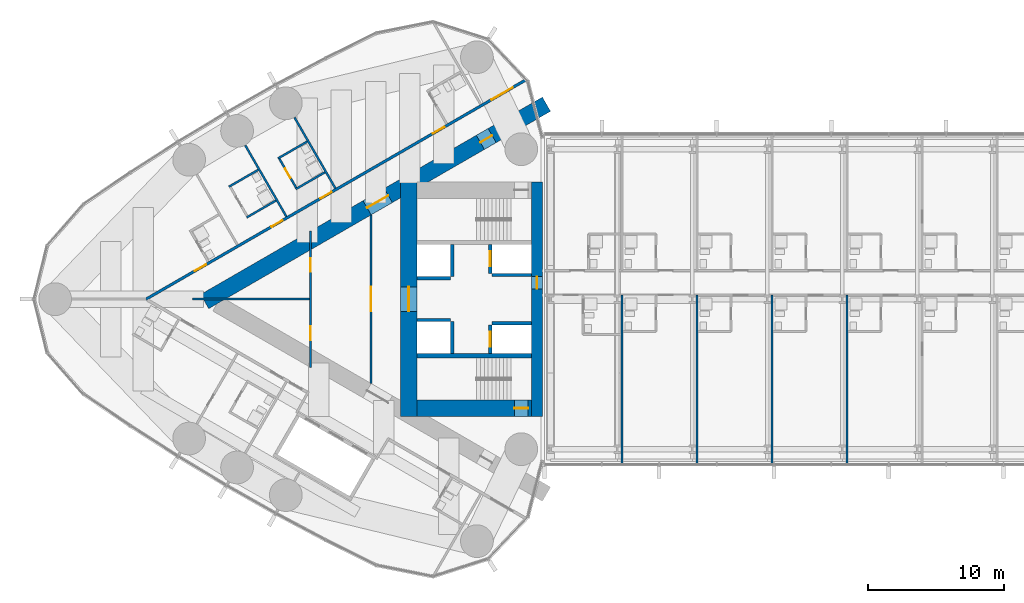
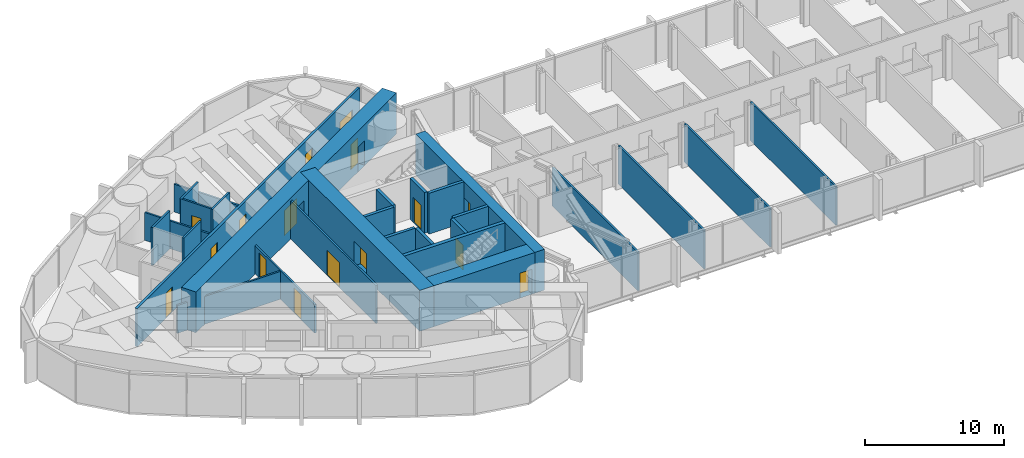
# One storey, part 15 of 23: 28 walls, 16 doors, 16 openings.
"""IFC4 building model written with IfcOpenShell, lengths in metres."""

from ifc_helpers import new_model, si_unit, direction, frame, frame_2d, origin, place, context, subcontext, project, spatial, rectangle, extrude, material, layer, layer_set, type_object, element, fill, save


model = new_model("IFC4")

# Units and contexts
model_context = context("Model", 3, precision=1e-05, world=origin(), true_north=direction((0.0, 1.0)))
body_context = subcontext(model_context, "Body", "Model", "MODEL_VIEW")
ifc_project = project(units=[si_unit("LENGTHUNIT", "METRE"), si_unit("AREAUNIT", "SQUARE_METRE"), si_unit("VOLUMEUNIT", "CUBIC_METRE"), si_unit("PLANEANGLEUNIT", "RADIAN"), si_unit("MASSUNIT", "GRAM", prefix="KILO")], contexts=[model_context])

# Site, building, storey
site_placement = place(None, origin())
site = spatial("IfcSite", under=ifc_project, at=site_placement, CompositionType="ELEMENT")
building_placement = place(site_placement, origin())
building = spatial("IfcBuilding", under=site, at=building_placement, Name="Lancet Gate Hotel", CompositionType="ELEMENT")
storey_placement = place(building_placement, frame((0.0, 0.0, 222.5)))
storey = spatial("IfcBuildingStorey", under=building, at=storey_placement, Name="L59", CompositionType="ELEMENT", Elevation=222.5)

# Wall
ifc_material_1 = material(Name="Moisture resistant board partition")
ifc_layer_1 = layer(ifc_material_1, 0.14990234375)
ifc_layer_set_1 = layer_set([ifc_layer_1], Name="Bathroom wall 150")
wall_type_1 = type_object("IfcWallType", Name="Bathroom wall 150", PredefinedType="PARTITIONING", material=ifc_layer_set_1)
wall_1_placement = place(storey_placement, frame((-44.745361328125, 11.560302734375, 0.0), z_axis=(0.0, 0.0, 1.0), x_axis=(-0.866006523861, -0.500032699561, 0.0)))
element("IfcWall", 1, at=wall_1_placement, inside=storey, type_object=wall_type_1, Name="T1 bathroom wall 150 L59", PredefinedType="PARTITIONING", context=body_context, shape_type="SweptSolid", body=[
    extrude(rectangle(XDim=2.474853515625, YDim=0.14990234375, at=frame_2d((1.2373046875, 0.0))), origin(), (0.0, 0.0, 1.0), 3.35009765625),
])

# Wall, opening, door
wall_2_placement = place(storey_placement, frame((-45.52392578125, 8.108642578125, 0.0), z_axis=(0.0, 0.0, 1.0), x_axis=(-0.49997716683, 0.86603858612, 0.0)))
wall_2 = element("IfcWall", 2, at=wall_2_placement, inside=storey, type_object=wall_type_1, Name="T1 bathroom wall 150 L59", PredefinedType="PARTITIONING", context=body_context, shape_type="SweptSolid", body=[
    extrude(rectangle(XDim=2.599609375, YDim=0.14990234375, at=frame_2d((1.2998046875, 0.0))), origin(), (0.0, 0.0, 1.0), 3.35009765625),
])
opening_1_placement = place(wall_2_placement, frame((0.89990234375, 0.0, 0.0)))
opening_1 = element("IfcOpeningElement", 3, at=opening_1_placement, cuts=wall_2, Name="Opening 5903-B", PredefinedType="OPENING", context=body_context, shape_type="SweptSolid", body=[
    extrude(rectangle(XDim=0.800048828125, YDim=2.199951171875, at=frame_2d((0.39990234375, 1.10009765625))), frame((0.0, 0.0849609375, 0.0), z_axis=(0.0, -1.0, 0.0), x_axis=(1.0, 0.0, 0.0)), (0.0, 0.0, 1.0), 0.169921875),
])
ifc_material_2 = material(Name="Timber door set", Category="wood")
door_type_1 = type_object("IfcDoorType", Name="Bathroom door 800", OperationType="SINGLE_SWING_RIGHT", PredefinedType="DOOR", material=ifc_material_2)
door_1_placement = place(opening_1_placement, origin())
door_1 = element("IfcDoor", 4, at=door_1_placement, inside=storey, type_object=door_type_1, Name="5903-B", OperationType="SINGLE_SWING_RIGHT", OverallHeight=2.199951171875, OverallWidth=0.800048828125, PredefinedType="DOOR", context=body_context, shape_type="SweptSolid", body=[
    extrude(rectangle(XDim=0.800048828125, YDim=2.199951171875, at=frame_2d((0.39990234375, 1.10009765625))), frame((0.0, 0.02490234375, 0.0), z_axis=(0.0, -1.0, 0.0), x_axis=(1.0, 0.0, 0.0)), (0.0, 0.0, 1.0), 0.050048828125),
])
fill(opening_1, door_1)

# Walls
wall_3_placement = place(storey_placement, frame((-43.4453125, 9.30859375, 0.0), z_axis=(0.0, 0.0, 1.0), x_axis=(-0.866031185235, -0.4999899861, 0.0)))
element("IfcWall", 5, at=wall_3_placement, inside=storey, type_object=wall_type_1, Name="T1 bathroom wall 150 L59", PredefinedType="PARTITIONING", context=body_context, shape_type="SweptSolid", body=[
    extrude(rectangle(XDim=2.47509765625, YDim=0.14990234375, at=frame_2d((1.237548828125, 0.0))), origin(), (0.0, 0.0, 1.0), 3.35009765625),
])
wall_4_placement = place(storey_placement, frame((-48.338623046875, 9.485595703125, 0.0), z_axis=(0.0, 0.0, 1.0), x_axis=(-0.866006523861, -0.500032699561, 0.0)))
element("IfcWall", 6, at=wall_4_placement, inside=storey, type_object=wall_type_1, Name="T1 bathroom wall 150 L59", PredefinedType="PARTITIONING", context=body_context, shape_type="SweptSolid", body=[
    extrude(rectangle(XDim=2.474853515625, YDim=0.14990234375, at=frame_2d((1.2373046875, 0.0))), origin(), (0.0, 0.0, 1.0), 3.35009765625),
])
wall_5_placement = place(storey_placement, frame((-47.03857421875, 7.23388671875, 0.0), z_axis=(0.0, 0.0, 1.0), x_axis=(-0.866073894602, -0.499916002032, 0.0)))
element("IfcWall", 7, at=wall_5_placement, inside=storey, type_object=wall_type_1, Name="T1 bathroom wall 150 L59", PredefinedType="PARTITIONING", context=body_context, shape_type="SweptSolid", body=[
    extrude(rectangle(XDim=2.47509765625, YDim=0.14990234375, at=frame_2d((1.237548828125, 0.0))), origin(), (0.0, 0.0, 1.0), 3.35009765625),
])

# Wall, openings, doors
ifc_material_3 = material(Name="Concrete C70/85", Category="concrete")
ifc_layer_2 = layer(ifc_material_3, 1.199951171875)
ifc_layer_set_2 = layer_set([ifc_layer_2], Name="Buttress wall 1200")
wall_type_2 = type_object("IfcWallType", Name="Buttress wall 1200", PredefinedType="SHEAR", material=ifc_layer_set_2)
wall_6_placement = place(storey_placement, frame((-27.199951171875, 14.300048828125, 0.0), z_axis=(0.0, 0.0, 1.0), x_axis=(-0.866026593062, -0.499997940104, 0.0)))
wall_6 = element("IfcWall", 8, at=wall_6_placement, inside=storey, type_object=wall_type_2, Name="T1 buttress wall S L59", PredefinedType="SHEAR", context=body_context, shape_type="SweptSolid", body=[
    extrude(rectangle(XDim=28.9462890625, YDim=1.199951171875, at=frame_2d((14.47314453125, 0.0))), origin(), (0.0, 0.0, 1.0), 3.60009765625),
])
opening_2_placement = place(wall_6_placement, frame((4.60009765625, 0.0, 0.0)))
opening_2 = element("IfcOpeningElement", 9, at=opening_2_placement, cuts=wall_6, Name="Opening T1-L59-LS", PredefinedType="OPENING", context=body_context, shape_type="SweptSolid", body=[
    extrude(rectangle(XDim=1.0, YDim=2.199951171875, at=frame_2d((0.5, 1.10009765625))), frame((0.0, 0.60986328125, 0.0), z_axis=(0.0, -1.0, 0.0), x_axis=(1.0, 0.0, 0.0)), (0.0, 0.0, 1.0), 1.219970703125),
])
opening_3_placement = place(wall_6_placement, frame((13.39453125, 0.0, 0.0)))
opening_3 = element("IfcOpeningElement", 10, at=opening_3_placement, cuts=wall_6, Name="Opening T1-L59-LHS", PredefinedType="OPENING", context=body_context, shape_type="SweptSolid", body=[
    extrude(rectangle(XDim=1.800048828125, YDim=2.199951171875, at=frame_2d((0.89990234375, 1.10009765625))), frame((0.0, 0.60986328125, 0.0), z_axis=(0.0, -1.0, 0.0), x_axis=(1.0, 0.0, 0.0)), (0.0, 0.0, 1.0), 1.219970703125),
])
ifc_material_4 = material(Name="Timber door set", Category="wood")
door_type_2 = type_object("IfcDoorType", Name="Lobby double door 1800", OperationType="DOUBLE_DOOR_SINGLE_SWING", PredefinedType="DOOR", material=ifc_material_4)
door_2_placement = place(opening_3_placement, origin())
door_2 = element("IfcDoor", 11, at=door_2_placement, inside=storey, type_object=door_type_2, Name="T1-L59-LHS", OperationType="DOUBLE_DOOR_SINGLE_SWING", OverallHeight=2.199951171875, OverallWidth=1.800048828125, PredefinedType="DOOR", context=body_context, shape_type="SweptSolid", body=[
    extrude(rectangle(XDim=1.800048828125, YDim=2.199951171875, at=frame_2d((0.89990234375, 1.10009765625))), frame((0.0, 0.02490234375, 0.0), z_axis=(0.0, -1.0, 0.0), x_axis=(1.0, 0.0, 0.0)), (0.0, 0.0, 1.0), 0.050048828125),
])
fill(opening_3, door_2)
ifc_material_5 = material(Name="Timber door set", Category="wood")
door_type_3 = type_object("IfcDoorType", Name="Stair lobby door 1000", OperationType="SINGLE_SWING_LEFT", PredefinedType="DOOR", material=ifc_material_5)
door_3_placement = place(opening_2_placement, origin())
door_3 = element("IfcDoor", 12, at=door_3_placement, inside=storey, type_object=door_type_3, Name="T1-L59-LS", OperationType="SINGLE_SWING_LEFT", OverallHeight=2.199951171875, OverallWidth=1.0, PredefinedType="DOOR", context=body_context, shape_type="SweptSolid", body=[
    extrude(rectangle(XDim=1.0, YDim=2.199951171875, at=frame_2d((0.5, 1.10009765625))), frame((0.0, 0.02490234375, 0.0), z_axis=(0.0, -1.0, 0.0), x_axis=(1.0, 0.0, 0.0)), (0.0, 0.0, 1.0), 0.050048828125),
])
fill(opening_2, door_3)

# Wall, opening, door
ifc_material_6 = material(Name="Concrete C70/85", Category="concrete")
ifc_layer_3 = layer(ifc_material_6, 1.199951171875)
ifc_layer_set_3 = layer_set([ifc_layer_3], Name="Core wall 1200")
wall_type_3 = type_object("IfcWallType", Name="Core wall 1200", PredefinedType="SHEAR", material=ifc_layer_set_3)
wall_7_placement = place(storey_placement, frame((-37.300048828125, 8.60009765625, 0.0), z_axis=(0.0, 0.0, 1.0), x_axis=(0.0, -1.0, 0.0)))
wall_7 = element("IfcWall", 13, at=wall_7_placement, inside=storey, type_object=wall_type_3, Name="T1 core wall back L59", PredefinedType="SHEAR", context=body_context, shape_type="SweptSolid", body=[
    extrude(rectangle(XDim=17.2001953125, YDim=1.199951171875, at=frame_2d((8.60009765625, 0.0))), origin(), (0.0, 0.0, 1.0), 3.60009765625),
])
opening_4_placement = place(wall_7_placement, frame((7.699951171875, 0.0, 0.0)))
opening_4 = element("IfcOpeningElement", 14, at=opening_4_placement, cuts=wall_7, Name="Opening T1-L59-LL", PredefinedType="OPENING", context=body_context, shape_type="SweptSolid", body=[
    extrude(rectangle(XDim=1.800048828125, YDim=2.199951171875, at=frame_2d((0.89990234375, 1.10009765625))), frame((0.0, 0.60986328125, 0.0), z_axis=(0.0, -1.0, 0.0), x_axis=(1.0, 0.0, 0.0)), (0.0, 0.0, 1.0), 1.219970703125),
])
door_4_placement = place(opening_4_placement, origin())
door_4 = element("IfcDoor", 15, at=door_4_placement, inside=storey, type_object=door_type_2, Name="T1-L59-LL", OperationType="DOUBLE_DOOR_SINGLE_SWING", OverallHeight=2.199951171875, OverallWidth=1.800048828125, PredefinedType="DOOR", context=body_context, shape_type="SweptSolid", body=[
    extrude(rectangle(XDim=1.800048828125, YDim=2.199951171875, at=frame_2d((0.89990234375, 1.10009765625))), frame((0.0, 0.02490234375, 0.0), z_axis=(0.0, -1.0, 0.0), x_axis=(1.0, 0.0, 0.0)), (0.0, 0.0, 1.0), 0.050048828125),
])
fill(opening_4, door_4)

wall_8_placement = place(storey_placement, frame((-28.300048828125, -8.0, 0.0), z_axis=(0.0, 0.0, 1.0), x_axis=(-1.0, 0.0, 0.0)))
wall_8 = element("IfcWall", 16, at=wall_8_placement, inside=storey, type_object=wall_type_3, Name="T1 core wall side-N L59", PredefinedType="SHEAR", context=body_context, shape_type="SweptSolid", body=[
    extrude(rectangle(XDim=8.39990234375, YDim=1.199951171875, at=frame_2d((4.199951171875, 0.0))), origin(), (0.0, 0.0, 1.0), 3.60009765625),
])
opening_5_placement = place(wall_8_placement, frame((0.25, 0.0, 0.0)))
opening_5 = element("IfcOpeningElement", 17, at=opening_5_placement, cuts=wall_8, Name="Opening T1-L59-ST2", PredefinedType="OPENING", context=body_context, shape_type="SweptSolid", body=[
    extrude(rectangle(XDim=1.0, YDim=2.199951171875, at=frame_2d((0.5, 1.10009765625))), frame((0.0, 0.60986328125, 0.0), z_axis=(0.0, -1.0, 0.0), x_axis=(1.0, 0.0, 0.0)), (0.0, 0.0, 1.0), 1.219970703125),
])
ifc_material_7 = material(Name="Timber door set", Category="wood")
door_type_4 = type_object("IfcDoorType", Name="Stair door 1000", OperationType="SINGLE_SWING_RIGHT", PredefinedType="DOOR", material=ifc_material_7)
door_5_placement = place(opening_5_placement, origin())
door_5 = element("IfcDoor", 18, at=door_5_placement, inside=storey, type_object=door_type_4, Name="T1-L59-ST2", OperationType="SINGLE_SWING_RIGHT", OverallHeight=2.199951171875, OverallWidth=1.0, PredefinedType="DOOR", context=body_context, shape_type="SweptSolid", body=[
    extrude(rectangle(XDim=1.0, YDim=2.199951171875, at=frame_2d((0.5, 1.10009765625))), frame((0.0, 0.02490234375, 0.0), z_axis=(0.0, -1.0, 0.0), x_axis=(1.0, 0.0, 0.0)), (0.0, 0.0, 1.0), 0.050048828125),
])
fill(opening_5, door_5)

ifc_material_8 = material(Name="Concrete C70/85", Category="concrete")
ifc_layer_4 = layer(ifc_material_8, 0.800048828125)
ifc_layer_set_4 = layer_set([ifc_layer_4], Name="Core wall 800")
wall_type_4 = type_object("IfcWallType", Name="Core wall 800", PredefinedType="SHEAR", material=ifc_layer_set_4)
wall_9_placement = place(storey_placement, frame((-27.89990234375, 8.60009765625, 0.0), z_axis=(0.0, 0.0, 1.0), x_axis=(0.0, -1.0, 0.0)))
wall_9 = element("IfcWall", 19, at=wall_9_placement, inside=storey, type_object=wall_type_4, Name="T1 core wall front L59", PredefinedType="SHEAR", context=body_context, shape_type="SweptSolid", body=[
    extrude(rectangle(XDim=17.2001953125, YDim=0.800048828125, at=frame_2d((8.60009765625, 0.0))), origin(), (0.0, 0.0, 1.0), 3.60009765625),
])
opening_6_placement = place(wall_9_placement, frame((6.949951171875, 0.0, 0.0)))
opening_6 = element("IfcOpeningElement", 20, at=opening_6_placement, cuts=wall_9, Name="Opening T1-L59-BR", PredefinedType="OPENING", context=body_context, shape_type="SweptSolid", body=[
    extrude(rectangle(XDim=0.89990234375, YDim=2.199951171875, at=frame_2d((0.449951171875, 1.10009765625))), frame((0.0, 0.409912109375, 0.0), z_axis=(0.0, -1.0, 0.0), x_axis=(1.0, 0.0, 0.0)), (0.0, 0.0, 1.0), 0.820068359375),
])
ifc_material_9 = material(Name="Steel door set", Category="steel")
door_type_5 = type_object("IfcDoorType", Name="Bridge fire door 900", OperationType="SINGLE_SWING_LEFT", PredefinedType="DOOR", material=ifc_material_9)
door_6_placement = place(opening_6_placement, origin())
door_6 = element("IfcDoor", 21, at=door_6_placement, inside=storey, type_object=door_type_5, Name="T1-L59-BR", OperationType="SINGLE_SWING_LEFT", OverallHeight=2.199951171875, OverallWidth=0.89990234375, PredefinedType="DOOR", context=body_context, shape_type="SweptSolid", body=[
    extrude(rectangle(XDim=0.89990234375, YDim=2.199951171875, at=frame_2d((0.449951171875, 1.10009765625))), frame((0.0, 0.02490234375, 0.0), z_axis=(0.0, -1.0, 0.0), x_axis=(1.0, 0.0, 0.0)), (0.0, 0.0, 1.0), 0.050048828125),
])
fill(opening_6, door_6)

# Wall, openings, doors
ifc_material_10 = material(Name="Gypsum board partition")
ifc_layer_5 = layer(ifc_material_10, 0.199951171875)
ifc_layer_set_5 = layer_set([ifc_layer_5], Name="Corridor wall 200")
wall_type_5 = type_object("IfcWallType", Name="Corridor wall 200", PredefinedType="PARTITIONING", material=ifc_layer_set_5)
wall_10_placement = place(storey_placement, frame((-28.737060546875, 16.068359375, 0.0), z_axis=(0.0, 0.0, 1.0), x_axis=(-0.866026057212, -0.499998868229, 0.0)))
wall_10 = element("IfcWall", 22, at=wall_10_placement, inside=storey, type_object=wall_type_5, Name="T1 corridor wall 200 L59", PredefinedType="PARTITIONING", context=body_context, shape_type="SweptSolid", body=[
    extrude(rectangle(XDim=32.13671875, YDim=0.199951171875, at=frame_2d((16.068359375, 0.0))), origin(), (0.0, 0.0, 1.0), 3.35009765625),
])
opening_7_placement = place(wall_10_placement, frame((1.080078125, 0.0, 0.0)))
opening_7 = element("IfcOpeningElement", 23, at=opening_7_placement, cuts=wall_10, Name="Opening 5901-E", PredefinedType="OPENING", context=body_context, shape_type="SweptSolid", body=[
    extrude(rectangle(XDim=1.800048828125, YDim=2.030029296875, at=frame_2d((0.89990234375, 1.01513671875))), frame((0.0, 0.10986328125, 0.0), z_axis=(0.0, -1.0, 0.0), x_axis=(1.0, 0.0, 0.0)), (0.0, 0.0, 1.0), 0.219970703125),
])
opening_8_placement = place(wall_10_placement, frame((6.860107421875, 0.0, 0.0)))
opening_8 = element("IfcOpeningElement", 24, at=opening_8_placement, cuts=wall_10, Name="Opening 5902-E", PredefinedType="OPENING", context=body_context, shape_type="SweptSolid", body=[
    extrude(rectangle(XDim=1.0, YDim=2.199951171875, at=frame_2d((0.5, 1.10009765625))), frame((0.0, 0.10986328125, 0.0), z_axis=(0.0, -1.0, 0.0), x_axis=(1.0, 0.0, 0.0)), (0.0, 0.0, 1.0), 0.219970703125),
])
opening_9_placement = place(wall_10_placement, frame((16.417724609375, 0.0, 0.0)))
opening_9 = element("IfcOpeningElement", 25, at=opening_9_placement, cuts=wall_10, Name="Opening 5903-E", PredefinedType="OPENING", context=body_context, shape_type="SweptSolid", body=[
    extrude(rectangle(XDim=0.949951171875, YDim=2.199951171875, at=frame_2d((0.47509765625, 1.10009765625))), frame((0.0, 0.10986328125, 0.0), z_axis=(0.0, -1.0, 0.0), x_axis=(1.0, 0.0, 0.0)), (0.0, 0.0, 1.0), 0.219970703125),
])
opening_10_placement = place(wall_10_placement, frame((20.56689453125, 0.0, 0.0)))
opening_10 = element("IfcOpeningElement", 26, at=opening_10_placement, cuts=wall_10, Name="Opening 5904-E", PredefinedType="OPENING", context=body_context, shape_type="SweptSolid", body=[
    extrude(rectangle(XDim=0.949951171875, YDim=2.199951171875, at=frame_2d((0.47509765625, 1.10009765625))), frame((0.0, 0.10986328125, 0.0), z_axis=(0.0, -1.0, 0.0), x_axis=(1.0, 0.0, 0.0)), (0.0, 0.0, 1.0), 0.219970703125),
])
opening_11_placement = place(wall_10_placement, frame((27.0654296875, 0.0, 0.0)))
opening_11 = element("IfcOpeningElement", 27, at=opening_11_placement, cuts=wall_10, Name="Opening 5905-E", PredefinedType="OPENING", context=body_context, shape_type="SweptSolid", body=[
    extrude(rectangle(XDim=0.949951171875, YDim=2.199951171875, at=frame_2d((0.47509765625, 1.10009765625))), frame((0.0, 0.10986328125, 0.0), z_axis=(0.0, -1.0, 0.0), x_axis=(1.0, 0.0, 0.0)), (0.0, 0.0, 1.0), 0.219970703125),
])
ifc_material_11 = material(Name="Timber door set", Category="wood")
door_type_6 = type_object("IfcDoorType", Name="Accessible guest room door 1000", OperationType="SINGLE_SWING_LEFT", PredefinedType="DOOR", material=ifc_material_11)
door_7_placement = place(opening_8_placement, origin())
door_7 = element("IfcDoor", 28, at=door_7_placement, inside=storey, type_object=door_type_6, Name="5902-E", OperationType="SINGLE_SWING_LEFT", OverallHeight=2.199951171875, OverallWidth=1.0, PredefinedType="DOOR", context=body_context, shape_type="SweptSolid", body=[
    extrude(rectangle(XDim=1.0, YDim=2.199951171875, at=frame_2d((0.5, 1.10009765625))), frame((0.0, 0.02490234375, 0.0), z_axis=(0.0, -1.0, 0.0), x_axis=(1.0, 0.0, 0.0)), (0.0, 0.0, 1.0), 0.050048828125),
])
fill(opening_8, door_7)
ifc_material_12 = material(Name="Timber door set", Category="wood")
door_type_7 = type_object("IfcDoorType", Name="Double door 1800, 2030 high", OperationType="DOUBLE_DOOR_SINGLE_SWING", PredefinedType="DOOR", material=ifc_material_12)
door_8_placement = place(opening_7_placement, origin())
door_8 = element("IfcDoor", 29, at=door_8_placement, inside=storey, type_object=door_type_7, Name="5901-E", OperationType="DOUBLE_DOOR_SINGLE_SWING", OverallHeight=2.030029296875, OverallWidth=1.800048828125, PredefinedType="DOOR", context=body_context, shape_type="SweptSolid", body=[
    extrude(rectangle(XDim=1.800048828125, YDim=2.030029296875, at=frame_2d((0.89990234375, 1.01513671875))), frame((0.0, 0.02490234375, 0.0), z_axis=(0.0, -1.0, 0.0), x_axis=(1.0, 0.0, 0.0)), (0.0, 0.0, 1.0), 0.050048828125),
])
fill(opening_7, door_8)
ifc_material_13 = material(Name="Timber door set", Category="wood")
door_type_8 = type_object("IfcDoorType", Name="Guest room entry door 950", OperationType="SINGLE_SWING_LEFT", PredefinedType="DOOR", material=ifc_material_13)
door_9_placement = place(opening_9_placement, origin())
door_9 = element("IfcDoor", 30, at=door_9_placement, inside=storey, type_object=door_type_8, Name="5903-E", OperationType="SINGLE_SWING_LEFT", OverallHeight=2.199951171875, OverallWidth=0.949951171875, PredefinedType="DOOR", context=body_context, shape_type="SweptSolid", body=[
    extrude(rectangle(XDim=0.949951171875, YDim=2.199951171875, at=frame_2d((0.47509765625, 1.10009765625))), frame((0.0, 0.02490234375, 0.0), z_axis=(0.0, -1.0, 0.0), x_axis=(1.0, 0.0, 0.0)), (0.0, 0.0, 1.0), 0.050048828125),
])
fill(opening_9, door_9)
door_10_placement = place(opening_10_placement, origin())
door_10 = element("IfcDoor", 31, at=door_10_placement, inside=storey, type_object=door_type_8, Name="5904-E", OperationType="SINGLE_SWING_LEFT", OverallHeight=2.199951171875, OverallWidth=0.949951171875, PredefinedType="DOOR", context=body_context, shape_type="SweptSolid", body=[
    extrude(rectangle(XDim=0.949951171875, YDim=2.199951171875, at=frame_2d((0.47509765625, 1.10009765625))), frame((0.0, 0.02490234375, 0.0), z_axis=(0.0, -1.0, 0.0), x_axis=(1.0, 0.0, 0.0)), (0.0, 0.0, 1.0), 0.050048828125),
])
fill(opening_10, door_10)
door_11_placement = place(opening_11_placement, origin())
door_11 = element("IfcDoor", 32, at=door_11_placement, inside=storey, type_object=door_type_8, Name="5905-E", OperationType="SINGLE_SWING_LEFT", OverallHeight=2.199951171875, OverallWidth=0.949951171875, PredefinedType="DOOR", context=body_context, shape_type="SweptSolid", body=[
    extrude(rectangle(XDim=0.949951171875, YDim=2.199951171875, at=frame_2d((0.47509765625, 1.10009765625))), frame((0.0, 0.02490234375, 0.0), z_axis=(0.0, -1.0, 0.0), x_axis=(1.0, 0.0, 0.0)), (0.0, 0.0, 1.0), 0.050048828125),
])
fill(opening_11, door_11)

# Wall, opening, door
ifc_material_14 = material(Name="Concrete C50/60", Category="concrete")
ifc_layer_6 = layer(ifc_material_14, 0.25)
ifc_layer_set_6 = layer_set([ifc_layer_6], Name="Lift shaft wall 250")
wall_type_6 = type_object("IfcWallType", Name="Lift shaft wall 250", PredefinedType="SHEAR", material=ifc_layer_set_6)
wall_11_placement = place(storey_placement, frame((-31.324951171875, 4.0, 0.0), z_axis=(0.0, 0.0, 1.0), x_axis=(0.0, -1.0, 0.0)))
wall_11 = element("IfcWall", 33, at=wall_11_placement, inside=storey, type_object=wall_type_6, Name="T1 core wall row1-S L59", PredefinedType="SHEAR", context=body_context, shape_type="SweptSolid", body=[
    extrude(rectangle(XDim=2.10009765625, YDim=0.25, at=frame_2d((1.050048828125, 0.0))), origin(), (0.0, 0.0, 1.0), 3.60009765625),
])
opening_12_placement = place(wall_11_placement, frame((0.5, 0.0, 0.0)))
opening_12 = element("IfcOpeningElement", 34, at=opening_12_placement, cuts=wall_11, Name="Opening T1-SL1-L59", PredefinedType="OPENING", context=body_context, shape_type="SweptSolid", body=[
    extrude(rectangle(XDim=1.10009765625, YDim=2.199951171875, at=frame_2d((0.550048828125, 1.10009765625))), frame((0.0, 0.135009765625, 0.0), z_axis=(0.0, -1.0, 0.0), x_axis=(1.0, 0.0, 0.0)), (0.0, 0.0, 1.0), 0.27001953125),
])
ifc_material_15 = material(Name="Timber door set", Category="wood")
door_type_9 = type_object("IfcDoorType", Name="Service lift landing door 1100", OperationType="SLIDING_TO_LEFT", PredefinedType="USERDEFINED", material=ifc_material_15)
door_12_placement = place(opening_12_placement, origin())
door_12 = element("IfcDoor", 35, at=door_12_placement, inside=storey, type_object=door_type_9, Name="T1-SL1-L59", ObjectType="LIFT LANDING DOOR", OperationType="SLIDING_TO_LEFT", OverallHeight=2.199951171875, OverallWidth=1.10009765625, PredefinedType="USERDEFINED", context=body_context, shape_type="SweptSolid", body=[
    extrude(rectangle(XDim=1.10009765625, YDim=2.199951171875, at=frame_2d((0.550048828125, 1.10009765625))), frame((0.0, 0.02490234375, 0.0), z_axis=(0.0, -1.0, 0.0), x_axis=(1.0, 0.0, 0.0)), (0.0, 0.0, 1.0), 0.050048828125),
])
fill(opening_12, door_12)

# Walls
wall_12_placement = place(storey_placement, frame((-34.125, 4.0, 0.0), z_axis=(0.0, 0.0, 1.0), x_axis=(0.0, -1.0, 0.0)))
element("IfcWall", 36, at=wall_12_placement, inside=storey, type_object=wall_type_6, Name="T1 core wall row2-S L59", PredefinedType="SHEAR", context=body_context, shape_type="SweptSolid", body=[
    extrude(rectangle(XDim=2.35009765625, YDim=0.25, at=frame_2d((1.175048828125, 0.0))), origin(), (0.0, 0.0, 1.0), 3.60009765625),
])
wall_13_placement = place(storey_placement, frame((-28.300048828125, 1.77490234375, 0.0), z_axis=(0.0, 0.0, 1.0), x_axis=(-1.0, 0.0, 0.0)))
element("IfcWall", 37, at=wall_13_placement, inside=storey, type_object=wall_type_6, Name="T1 core wall pass1-S L59", PredefinedType="SHEAR", context=body_context, shape_type="SweptSolid", body=[
    extrude(rectangle(XDim=2.89990234375, YDim=0.25, at=frame_2d((1.449951171875, 0.0))), origin(), (0.0, 0.0, 1.0), 3.60009765625),
])
wall_14_placement = place(storey_placement, frame((-34.25, 1.52490234375, 0.0), z_axis=(0.0, 0.0, 1.0), x_axis=(-1.0, 0.0, 0.0)))
element("IfcWall", 38, at=wall_14_placement, inside=storey, type_object=wall_type_6, Name="T1 core wall pass2-S L59", PredefinedType="SHEAR", context=body_context, shape_type="SweptSolid", body=[
    extrude(rectangle(XDim=2.449951171875, YDim=0.25, at=frame_2d((1.22509765625, 0.0))), origin(), (0.0, 0.0, 1.0), 3.60009765625),
])

# Wall, opening, door
wall_15_placement = place(storey_placement, frame((-31.324951171875, -1.89990234375, 0.0), z_axis=(0.0, 0.0, 1.0), x_axis=(0.0, -1.0, 0.0)))
wall_15 = element("IfcWall", 39, at=wall_15_placement, inside=storey, type_object=wall_type_6, Name="T1 core wall row1-N L59", PredefinedType="SHEAR", context=body_context, shape_type="SweptSolid", body=[
    extrude(rectangle(XDim=2.10009765625, YDim=0.25, at=frame_2d((1.050048828125, 0.0))), origin(), (0.0, 0.0, 1.0), 3.60009765625),
])
opening_13_placement = place(wall_15_placement, frame((0.5, 0.0, 0.0)))
opening_13 = element("IfcOpeningElement", 40, at=opening_13_placement, cuts=wall_15, Name="Opening T1-FL2-L59", PredefinedType="OPENING", context=body_context, shape_type="SweptSolid", body=[
    extrude(rectangle(XDim=1.10009765625, YDim=2.199951171875, at=frame_2d((0.550048828125, 1.10009765625))), frame((0.0, 0.135009765625, 0.0), z_axis=(0.0, -1.0, 0.0), x_axis=(1.0, 0.0, 0.0)), (0.0, 0.0, 1.0), 0.27001953125),
])
ifc_material_16 = material(Name="Steel door set", Category="steel")
door_type_10 = type_object("IfcDoorType", Name="Firefighting lift landing door 1100", OperationType="SLIDING_TO_LEFT", PredefinedType="USERDEFINED", material=ifc_material_16)
door_13_placement = place(opening_13_placement, origin())
door_13 = element("IfcDoor", 41, at=door_13_placement, inside=storey, type_object=door_type_10, Name="T1-FL2-L59", ObjectType="LIFT LANDING DOOR", OperationType="SLIDING_TO_LEFT", OverallHeight=2.199951171875, OverallWidth=1.10009765625, PredefinedType="USERDEFINED", context=body_context, shape_type="SweptSolid", body=[
    extrude(rectangle(XDim=1.10009765625, YDim=2.199951171875, at=frame_2d((0.550048828125, 1.10009765625))), frame((0.0, 0.02490234375, 0.0), z_axis=(0.0, -1.0, 0.0), x_axis=(1.0, 0.0, 0.0)), (0.0, 0.0, 1.0), 0.050048828125),
])
fill(opening_13, door_13)

# Walls
wall_16_placement = place(storey_placement, frame((-34.125, -1.64990234375, 0.0), z_axis=(0.0, 0.0, 1.0), x_axis=(0.0, -1.0, 0.0)))
element("IfcWall", 42, at=wall_16_placement, inside=storey, type_object=wall_type_6, Name="T1 core wall row2-N L59", PredefinedType="SHEAR", context=body_context, shape_type="SweptSolid", body=[
    extrude(rectangle(XDim=2.35009765625, YDim=0.25, at=frame_2d((1.175048828125, 0.0))), origin(), (0.0, 0.0, 1.0), 3.60009765625),
])
wall_17_placement = place(storey_placement, frame((-28.300048828125, -1.77490234375, 0.0), z_axis=(0.0, 0.0, 1.0), x_axis=(-1.0, 0.0, 0.0)))
element("IfcWall", 43, at=wall_17_placement, inside=storey, type_object=wall_type_6, Name="T1 core wall pass1-N L59", PredefinedType="SHEAR", context=body_context, shape_type="SweptSolid", body=[
    extrude(rectangle(XDim=2.89990234375, YDim=0.25, at=frame_2d((1.449951171875, 0.0))), origin(), (0.0, 0.0, 1.0), 3.60009765625),
])
wall_18_placement = place(storey_placement, frame((-34.25, -1.52490234375, 0.0), z_axis=(0.0, 0.0, 1.0), x_axis=(-1.0, 0.0, 0.0)))
element("IfcWall", 44, at=wall_18_placement, inside=storey, type_object=wall_type_6, Name="T1 core wall pass2-N L59", PredefinedType="SHEAR", context=body_context, shape_type="SweptSolid", body=[
    extrude(rectangle(XDim=2.449951171875, YDim=0.25, at=frame_2d((1.22509765625, 0.0))), origin(), (0.0, 0.0, 1.0), 3.60009765625),
])
ifc_material_17 = material(Name="Gypsum board partition")
ifc_layer_7 = layer(ifc_material_17, 0.14990234375)
ifc_layer_set_7 = layer_set([ifc_layer_7], Name="Party wall 150")
wall_type_7 = type_object("IfcWallType", Name="Party wall 150", PredefinedType="PARTITIONING", material=ifc_layer_set_7)
wall_19_placement = place(storey_placement, frame((-42.680419921875, 8.133544921875, 0.0), z_axis=(0.0, 0.0, 1.0), x_axis=(-0.499984479505, 0.866034364361, 0.0)))
element("IfcWall", 45, at=wall_19_placement, inside=storey, type_object=wall_type_7, Name="T1 party wall 150 L59", PredefinedType="PARTITIONING", context=body_context, shape_type="SweptSolid", body=[
    extrude(rectangle(XDim=5.995361328125, YDim=0.14990234375, at=frame_2d((2.99755859375, 0.0))), origin(), (0.0, 0.0, 1.0), 2.449951171875),
])
wall_20_placement = place(storey_placement, frame((-46.273681640625, 6.05908203125, 0.0), z_axis=(0.0, 0.0, 1.0), x_axis=(-0.500020471368, 0.866013584312, 0.0)))
element("IfcWall", 46, at=wall_20_placement, inside=storey, type_object=wall_type_7, Name="T1 party wall 150 L59", PredefinedType="PARTITIONING", context=body_context, shape_type="SweptSolid", body=[
    extrude(rectangle(XDim=6.027587890625, YDim=0.14990234375, at=frame_2d((3.013671875, 0.0))), origin(), (0.0, 0.0, 1.0), 2.449951171875),
])
for number, where, z_axis, x_axis, name in (
    (47, (-21.64990234375, -12.070068359375, 0.0), (0.0, 0.0, 1.0), (0.0, 1.0, 0.0), "Bridge block party wall 150 L59"),
    (48, (-16.14990234375, -12.070068359375, 0.0), (0.0, 0.0, 1.0), (0.0, 1.0, 0.0), "Bridge block party wall 150 L59"),
    (49, (-10.64990234375, -12.070068359375, 0.0), (0.0, 0.0, 1.0), (0.0, 1.0, 0.0), "Bridge block party wall 150 L59"),
    (50, (-5.14990234375, -12.070068359375, 0.0), (0.0, 0.0, 1.0), (0.0, 1.0, 0.0), "Bridge block party wall 150 L59"),
):
    element("IfcWall", number, at=place(storey_placement, frame(where, z_axis=z_axis, x_axis=x_axis)), inside=storey, type_object=wall_type_7, Name=name, PredefinedType="PARTITIONING", context=body_context, shape_type="SweptSolid", body=[
        extrude(rectangle(XDim=12.3701171875, YDim=0.14990234375, at=frame_2d((6.18505859375, 0.0))), origin(), (0.0, 0.0, 1.0), 3.39990234375),
    ])

# Wall, opening, door
ifc_material_18 = material(Name="Gypsum board partition")
ifc_layer_8 = layer(ifc_material_18, 0.14990234375)
ifc_layer_set_8 = layer_set([ifc_layer_8], Name="Service room wall 150")
wall_type_8 = type_object("IfcWallType", Name="Service room wall 150", PredefinedType="PARTITIONING", material=ifc_layer_set_8)
wall_21_placement = place(storey_placement, frame((-40.074951171875, 6.173828125, 0.0), z_axis=(0.0, 0.0, 1.0), x_axis=(0.0, -1.0, 0.0)))
wall_21 = element("IfcWall", 51, at=wall_21_placement, inside=storey, type_object=wall_type_8, Name="T1 service room wall 150 L59", PredefinedType="PARTITIONING", context=body_context, shape_type="SweptSolid", body=[
    extrude(rectangle(XDim=12.34765625, YDim=0.14990234375, at=frame_2d((6.173828125, 0.0))), origin(), (0.0, 0.0, 1.0), 3.35009765625),
])
opening_14_placement = place(wall_21_placement, frame((5.273681640625, 0.0, 0.0)))
opening_14 = element("IfcOpeningElement", 52, at=opening_14_placement, cuts=wall_21, Name="Opening T1-L59-LH", PredefinedType="OPENING", context=body_context, shape_type="SweptSolid", body=[
    extrude(rectangle(XDim=1.800048828125, YDim=2.199951171875, at=frame_2d((0.89990234375, 1.10009765625))), frame((0.0, 0.0849609375, 0.0), z_axis=(0.0, -1.0, 0.0), x_axis=(1.0, 0.0, 0.0)), (0.0, 0.0, 1.0), 0.169921875),
])
door_14_placement = place(opening_14_placement, origin())
door_14 = element("IfcDoor", 53, at=door_14_placement, inside=storey, type_object=door_type_2, Name="T1-L59-LH", OperationType="DOUBLE_DOOR_SINGLE_SWING", OverallHeight=2.199951171875, OverallWidth=1.800048828125, PredefinedType="DOOR", context=body_context, shape_type="SweptSolid", body=[
    extrude(rectangle(XDim=1.800048828125, YDim=2.199951171875, at=frame_2d((0.89990234375, 1.10009765625))), frame((0.0, 0.02490234375, 0.0), z_axis=(0.0, -1.0, 0.0), x_axis=(1.0, 0.0, 0.0)), (0.0, 0.0, 1.0), 0.050048828125),
])
fill(opening_14, door_14)

# Wall, openings, doors
wall_22_placement = place(storey_placement, frame((-44.5, 5.004638671875, 0.0), z_axis=(0.0, 0.0, 1.0), x_axis=(0.0, -1.0, 0.0)))
wall_22 = element("IfcWall", 54, at=wall_22_placement, inside=storey, type_object=wall_type_8, Name="T1 service room wall 150 L59", PredefinedType="PARTITIONING", context=body_context, shape_type="SweptSolid", body=[
    extrude(rectangle(XDim=10.00927734375, YDim=0.14990234375, at=frame_2d((5.004638671875, 0.0))), origin(), (0.0, 0.0, 1.0), 2.5),
])
opening_15_placement = place(wall_22_placement, frame((2.002197265625, 0.0, 0.0)))
opening_15 = element("IfcOpeningElement", 55, at=opening_15_placement, cuts=wall_22, Name="Opening T1-L59-SV", PredefinedType="OPENING", context=body_context, shape_type="SweptSolid", body=[
    extrude(rectangle(XDim=1.0, YDim=2.199951171875, at=frame_2d((0.5, 1.10009765625))), frame((0.0, 0.0849609375, 0.0), z_axis=(0.0, -1.0, 0.0), x_axis=(1.0, 0.0, 0.0)), (0.0, 0.0, 1.0), 0.169921875),
])
opening_16_placement = place(wall_22_placement, frame((7.0068359375, 0.0, 0.0)))
opening_16 = element("IfcOpeningElement", 56, at=opening_16_placement, cuts=wall_22, Name="Opening T1-L59-SV2", PredefinedType="OPENING", context=body_context, shape_type="SweptSolid", body=[
    extrude(rectangle(XDim=1.0, YDim=2.199951171875, at=frame_2d((0.5, 1.10009765625))), frame((0.0, 0.0849609375, 0.0), z_axis=(0.0, -1.0, 0.0), x_axis=(1.0, 0.0, 0.0)), (0.0, 0.0, 1.0), 0.169921875),
])
ifc_material_19 = material(Name="Timber door set", Category="wood")
door_type_11 = type_object("IfcDoorType", Name="Service door 1000", OperationType="SINGLE_SWING_LEFT", PredefinedType="DOOR", material=ifc_material_19)
door_15_placement = place(opening_15_placement, origin())
door_15 = element("IfcDoor", 57, at=door_15_placement, inside=storey, type_object=door_type_11, Name="T1-L59-SV", OperationType="SINGLE_SWING_LEFT", OverallHeight=2.199951171875, OverallWidth=1.0, PredefinedType="DOOR", context=body_context, shape_type="SweptSolid", body=[
    extrude(rectangle(XDim=1.0, YDim=2.199951171875, at=frame_2d((0.5, 1.10009765625))), frame((0.0, 0.02490234375, 0.0), z_axis=(0.0, -1.0, 0.0), x_axis=(1.0, 0.0, 0.0)), (0.0, 0.0, 1.0), 0.050048828125),
])
fill(opening_15, door_15)
door_16_placement = place(opening_16_placement, origin())
door_16 = element("IfcDoor", 58, at=door_16_placement, inside=storey, type_object=door_type_11, Name="T1-L59-SV2", OperationType="SINGLE_SWING_LEFT", OverallHeight=2.199951171875, OverallWidth=1.0, PredefinedType="DOOR", context=body_context, shape_type="SweptSolid", body=[
    extrude(rectangle(XDim=1.0, YDim=2.199951171875, at=frame_2d((0.5, 1.10009765625))), frame((0.0, 0.02490234375, 0.0), z_axis=(0.0, -1.0, 0.0), x_axis=(1.0, 0.0, 0.0)), (0.0, 0.0, 1.0), 0.050048828125),
])
fill(opening_16, door_16)

# Walls
wall_23_placement = place(storey_placement, frame((-44.574951171875, 0.0, 0.0), z_axis=(0.0, 0.0, 1.0), x_axis=(-1.0, 0.0, 0.0)))
element("IfcWall", 59, at=wall_23_placement, inside=storey, type_object=wall_type_8, Name="T1 service room wall 150 L59", PredefinedType="PARTITIONING", context=body_context, shape_type="SweptSolid", body=[
    extrude(rectangle(XDim=8.59326171875, YDim=0.14990234375, at=frame_2d((4.296630859375, 0.0))), origin(), (0.0, 0.0, 1.0), 2.449951171875),
])
ifc_material_20 = material(Name="Concrete C50/60", Category="concrete")
ifc_layer_9 = layer(ifc_material_20, 0.300048828125)
ifc_layer_set_9 = layer_set([ifc_layer_9], Name="Stair enclosure wall 300")
wall_type_9 = type_object("IfcWallType", Name="Stair enclosure wall 300", PredefinedType="SHEAR", material=ifc_layer_set_9)
wall_24_placement = place(storey_placement, frame((-28.300048828125, -4.14990234375, 0.0), z_axis=(0.0, 0.0, 1.0), x_axis=(-1.0, 0.0, 0.0)))
element("IfcWall", 60, at=wall_24_placement, inside=storey, type_object=wall_type_9, Name="T1 core wall stair-N L59", PredefinedType="SHEAR", context=body_context, shape_type="SweptSolid", body=[
    extrude(rectangle(XDim=8.39990234375, YDim=0.300048828125, at=frame_2d((4.199951171875, 0.0))), origin(), (0.0, 0.0, 1.0), 3.60009765625),
])

save(model, "model.ifc")
